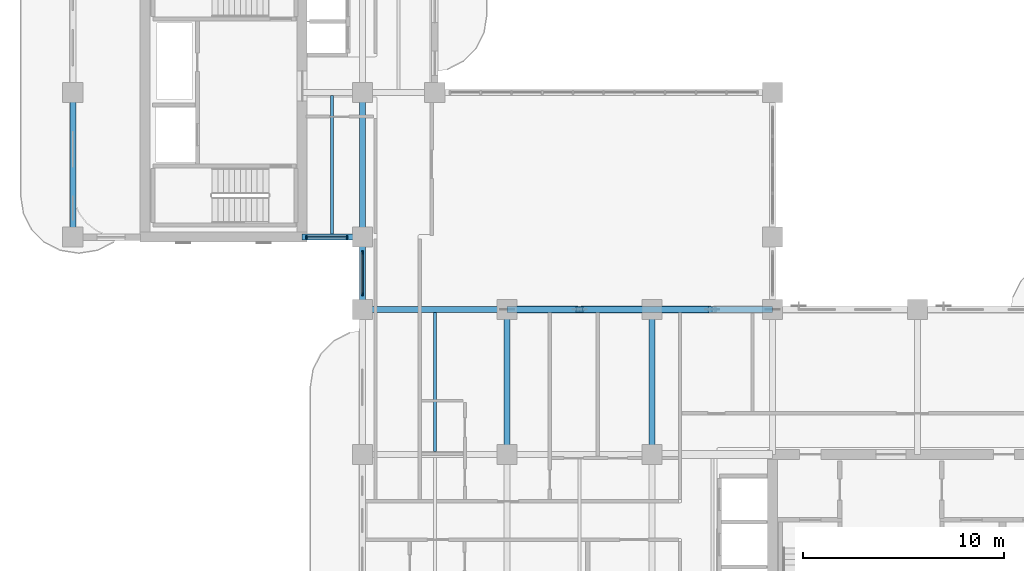
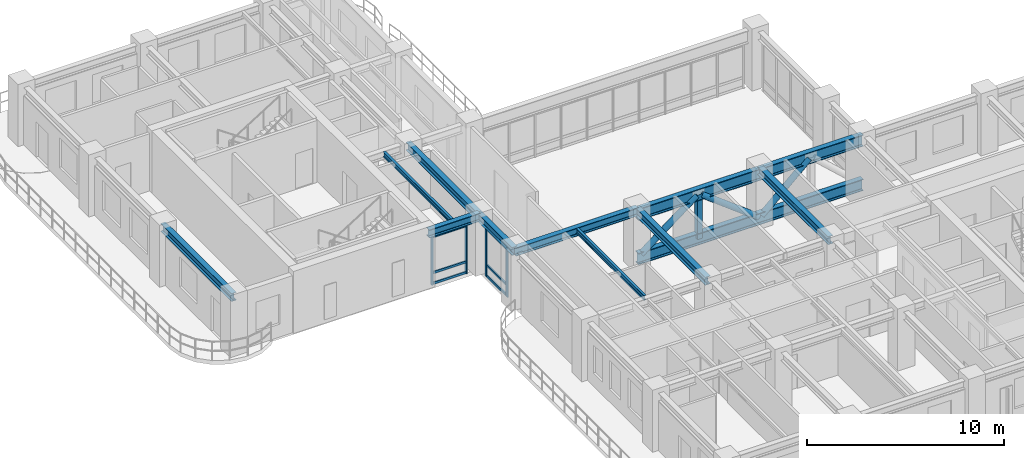
# One storey, part 2 of 17: 16 members, 9 beams, 2 elements without a shape of their own.
"""IFC4 building model written with IfcOpenShell, lengths in metres."""

from ifc_helpers import new_model, si_unit, derived_unit, direction, frame, origin, origin_2d, place, context, subcontext, project, spatial, rectangle, hollow_rectangle, hollow_circle, i_section, extrude, source, transform, mapped, material, layer, layer_set, material_profile, profile_set, type_object, type_shapes, element, aggregate, save


model = new_model("IFC4")

# Units and contexts
model_context = context("Model", 3, precision=1e-05, world=origin(), true_north=direction((0.0, 1.0)))
body_context = subcontext(model_context, "Body", "Model", "MODEL_VIEW")
ifc_project = project(units=[si_unit("LENGTHUNIT", "METRE"), si_unit("AREAUNIT", "SQUARE_METRE"), si_unit("VOLUMEUNIT", "CUBIC_METRE"), si_unit("PLANEANGLEUNIT", "RADIAN"), si_unit("MASSUNIT", "GRAM", prefix="KILO"), si_unit("THERMODYNAMICTEMPERATUREUNIT", "KELVIN"), si_unit("POWERUNIT", "WATT"), derived_unit("THERMALTRANSMITTANCEUNIT", [(si_unit("POWERUNIT", "WATT"), 1), (si_unit("AREAUNIT", "SQUARE_METRE"), -1), (si_unit("THERMODYNAMICTEMPERATUREUNIT", "KELVIN"), -1)])], contexts=[model_context])

# Site, building, storey
site_placement = place(None, origin())
site = spatial("IfcSite", under=ifc_project, at=site_placement, CompositionType="ELEMENT")
building_placement = place(site_placement, origin())
building = spatial("IfcBuilding", under=site, at=building_placement, Name="Zahravan Archway Hotel and Residences", CompositionType="ELEMENT")
storey_placement = place(building_placement, frame((0.0, 0.0, 192.64990234375)))
storey = spatial("IfcBuildingStorey", under=building, at=storey_placement, Name="L48", CompositionType="ELEMENT", Elevation=192.64990234375)

# Beams
ifc_material_1 = material(Name="Structural Steel S355JR", Category="steel")
ifc_material_profile_1 = material_profile(ifc_material_1, i_section(OverallWidth=0.300048828125, OverallDepth=0.5, WebThickness=0.014404296875, FlangeThickness=0.028076171875, FilletRadius=0.027099609375, at=origin_2d()), Name="HEB 500", Category="steel")
ifc_profile_set_1 = profile_set([ifc_material_profile_1], Name="Structural Steel S355JR")
beam_type_1 = type_object("IfcBeamType", Name="BM-PRI-HEB500", PredefinedType="BEAM", material=ifc_profile_set_1)
shared_shape_1 = source(origin(), body_context, "Body", "SweptSolid", [
    extrude(i_section(OverallWidth=0.300048828125, OverallDepth=0.5, WebThickness=0.014404296875, FlangeThickness=0.028076171875, FilletRadius=0.027099609375, at=origin_2d()), origin(), (0.0, 0.0, 1.0), 7.2001953125),
])
type_shapes(beam_type_1, [shared_shape_1])
for number, where, z_axis, x_axis, name in (
    (1, (14.39990234375, 21.60009765625, 3.300048828125), (1.0, 0.0, 0.0), (0.0, 1.0, 0.0), "L48 Primary Girder EW-11"),
    (2, (21.60009765625, 14.39990234375, 3.300048828125), (0.0, 1.0, 0.0), (-1.0, 0.0, 0.0), "L48 Primary Girder NS-36"),
    (3, (28.800048828125, 14.39990234375, 3.300048828125), (0.0, 1.0, 0.0), (-1.0, 0.0, 0.0), "L48 Primary Girder NS-39"),
):
    element("IfcBeam", number, at=place(storey_placement, frame(where, z_axis=z_axis, x_axis=x_axis)), inside=storey, type_object=beam_type_1, Name=name, PredefinedType="BEAM", context=body_context, shape_type="MappedRepresentation", body=[
        mapped(shared_shape_1, transform((0.0, 0.0, 0.0), scale=1.0)),
    ])
shared_shape_2 = source(origin(), body_context, "Body", "SweptSolid", [
    extrude(i_section(OverallWidth=0.300048828125, OverallDepth=0.5, WebThickness=0.014404296875, FlangeThickness=0.028076171875, FilletRadius=0.027099609375, at=origin_2d()), origin(), (0.0, 0.0, 1.0), 7.199951171875),
])
for number, where, z_axis, x_axis, name in (
    (4, (0.0, 25.199951171875, 3.300048828125), (0.0, 1.0, 0.0), (-1.0, 0.0, 0.0), "L48 Primary Girder NS-23"),
    (5, (14.39990234375, 25.199951171875, 3.300048828125), (0.0, 1.0, 0.0), (-1.0, 0.0, 0.0), "L48 Primary Girder NS-31"),
):
    element("IfcBeam", number, at=place(storey_placement, frame(where, z_axis=z_axis, x_axis=x_axis)), inside=storey, type_object=beam_type_1, Name=name, PredefinedType="BEAM", context=body_context, shape_type="MappedRepresentation", body=[
        mapped(shared_shape_2, transform((0.0, 0.0, 0.0), scale=1.0)),
    ])
shared_shape_3 = source(origin(), body_context, "Body", "SweptSolid", [
    extrude(i_section(OverallWidth=0.300048828125, OverallDepth=0.5, WebThickness=0.014404296875, FlangeThickness=0.028076171875, FilletRadius=0.027099609375, at=origin_2d()), origin(), (0.0, 0.0, 1.0), 3.0),
])
beam_1_placement = place(storey_placement, frame((11.39990234375, 25.199951171875, 3.300048828125), z_axis=(1.0, 0.0, 0.0), x_axis=(0.0, 1.0, 0.0)))
element("IfcBeam", 6, at=beam_1_placement, inside=storey, type_object=beam_type_1, Name="L48 Primary Girder EW-14", PredefinedType="BEAM", context=body_context, shape_type="MappedRepresentation", body=[
    mapped(shared_shape_3, transform((0.0, 0.0, 0.0), scale=1.0)),
])
shared_shape_4 = source(origin(), body_context, "Body", "SweptSolid", [
    extrude(i_section(OverallWidth=0.300048828125, OverallDepth=0.5, WebThickness=0.014404296875, FlangeThickness=0.028076171875, FilletRadius=0.027099609375, at=origin_2d()), origin(), (0.0, 0.0, 1.0), 3.599853515625),
])
beam_2_placement = place(storey_placement, frame((14.39990234375, 21.60009765625, 3.300048828125), z_axis=(0.0, 1.0, 0.0), x_axis=(-1.0, 0.0, 0.0)))
element("IfcBeam", 7, at=beam_2_placement, inside=storey, type_object=beam_type_1, Name="L48 Primary Girder NS-30", PredefinedType="BEAM", context=body_context, shape_type="MappedRepresentation", body=[
    mapped(shared_shape_4, transform((0.0, 0.0, 0.0), scale=1.0)),
])
ifc_material_profile_2 = material_profile(ifc_material_1, i_section(OverallWidth=0.14990234375, OverallDepth=0.300048828125, WebThickness=0.007080078125, FlangeThickness=0.0107421875, FilletRadius=0.014892578125, at=origin_2d()), Name="IPE 300", Category="steel")
ifc_profile_set_2 = profile_set([ifc_material_profile_2], Name="Structural Steel S355JR")
beam_type_2 = type_object("IfcBeamType", Name="BM-JST-IPE300", PredefinedType="JOIST", material=ifc_profile_set_2)
shared_shape_5 = source(origin(), body_context, "Body", "SweptSolid", [
    extrude(i_section(OverallWidth=0.14990234375, OverallDepth=0.300048828125, WebThickness=0.007080078125, FlangeThickness=0.0107421875, FilletRadius=0.014892578125, at=origin_2d()), origin(), (0.0, 0.0, 1.0), 6.904052734375),
])
type_shapes(beam_type_2, [shared_shape_5])
beam_3_placement = place(storey_placement, frame((12.89990234375, 25.347900390625, 3.400146484375), z_axis=(0.0, 1.0, 0.0), x_axis=(-1.0, 0.0, 0.0)))
element("IfcBeam", 8, at=beam_3_placement, inside=storey, type_object=beam_type_2, Name="L48 Composite Floor Joist 08", PredefinedType="JOIST", context=body_context, shape_type="MappedRepresentation", body=[
    mapped(shared_shape_5, transform((0.0, 0.0, 0.0), scale=1.0)),
])
shared_shape_6 = source(origin(), body_context, "Body", "SweptSolid", [
    extrude(i_section(OverallWidth=0.14990234375, OverallDepth=0.300048828125, WebThickness=0.007080078125, FlangeThickness=0.0107421875, FilletRadius=0.014892578125, at=origin_2d()), origin(), (0.0, 0.0, 1.0), 6.90380859375),
])
beam_4_placement = place(storey_placement, frame((18.0, 14.548095703125, 3.400146484375), z_axis=(0.0, 1.0, 0.0), x_axis=(-1.0, 0.0, 0.0)))
element("IfcBeam", 9, at=beam_4_placement, inside=storey, type_object=beam_type_2, Name="L48 Composite Floor Joist 07", PredefinedType="JOIST", context=body_context, shape_type="MappedRepresentation", body=[
    mapped(shared_shape_6, transform((0.0, 0.0, 0.0), scale=1.0)),
])

# Members
ifc_material_2 = material(Name="Structural Steel S460M", Category="steel")
ifc_material_profile_3 = material_profile(ifc_material_2, i_section(OverallWidth=0.303955078125, OverallDepth=0.716064453125, WebThickness=0.02099609375, FlangeThickness=0.0400390625, FilletRadius=0.027099609375, at=origin_2d()), Name="HEM 700", Category="steel")
ifc_profile_set_3 = profile_set([ifc_material_profile_3], Name="Structural Steel S460M")
member_type_1 = type_object("IfcMemberType", Name="MEM-CHD-HEM700", PredefinedType="CHORD", material=ifc_profile_set_3)
shared_shape_7 = source(origin(), body_context, "Body", "SweptSolid", [
    extrude(i_section(OverallWidth=0.303955078125, OverallDepth=0.716064453125, WebThickness=0.02099609375, FlangeThickness=0.0400390625, FilletRadius=0.027099609375, at=origin_2d()), origin(), (0.0, 0.0, 1.0), 13.199951171875),
])
type_shapes(member_type_1, [shared_shape_7])
for number, where, z_axis, x_axis, name in (
    (10, (21.60009765625, 21.60009765625, 3.10009765625), (1.0, 0.0, 0.0), (0.0, 1.0, 0.0), "L48 Sky-Bridge Truss Top Chord"),
    (11, (21.60009765625, 21.60009765625, 0.35009765625), (1.0, 0.0, 0.0), (0.0, 1.0, 0.0), "L48 Sky-Bridge Truss Bottom Chord"),
):
    element("IfcMember", number, at=place(storey_placement, frame(where, z_axis=z_axis, x_axis=x_axis)), inside=storey, type_object=member_type_1, Name=name, PredefinedType="CHORD", context=body_context, shape_type="MappedRepresentation", body=[
        mapped(shared_shape_7, transform((0.0, 0.0, 0.0), scale=1.0)),
    ])
ifc_material_3 = material(Name="Structural Steel S355J2", Category="steel")
ifc_material_profile_4 = material_profile(ifc_material_3, hollow_circle(Radius=0.177734375, WallThickness=0.01611328125, at=origin_2d()), Name="CHS 355.6x16", Category="steel")
ifc_profile_set_4 = profile_set([ifc_material_profile_4], Name="Structural Steel S355J2")
member_type_2 = type_object("IfcMemberType", Name="MEM-DIAG-CHS355", PredefinedType="BRACE", material=ifc_profile_set_4)
shared_shape_8 = source(origin(), body_context, "Body", "SweptSolid", [
    extrude(hollow_circle(Radius=0.177734375, WallThickness=0.01611328125, at=origin_2d()), origin(), (0.0, 0.0, 1.0), 4.110107421875),
])
member_1_placement = place(storey_placement, frame((21.822509765625, 21.60009765625, 0.52001953125), z_axis=(0.794651108126, 0.0, 0.607066401932), x_axis=(0.0, 1.0, 0.0)))
element("IfcMember", 12, at=member_1_placement, inside=storey, type_object=member_type_2, Name="L48 Sky-Bridge Truss Diagonal 1", PredefinedType="BRACE", context=body_context, shape_type="MappedRepresentation", body=[
    mapped(shared_shape_8, transform((0.0, 0.0, 0.0), scale=1.0)),
])
shared_shape_9 = source(origin(), body_context, "Body", "SweptSolid", [
    extrude(hollow_circle(Radius=0.177734375, WallThickness=0.01611328125, at=origin_2d()), origin(), (0.0, 0.0, 1.0), 4.250244140625),
])
member_2_placement = place(storey_placement, frame((25.311279296875, 21.60009765625, 3.01513671875), z_axis=(0.794661000837, 0.0, -0.607053452135), x_axis=(0.0, 1.0, 0.0)))
element("IfcMember", 13, at=member_2_placement, inside=storey, type_object=member_type_2, Name="L48 Sky-Bridge Truss Diagonal 2", PredefinedType="BRACE", context=body_context, shape_type="MappedRepresentation", body=[
    mapped(shared_shape_9, transform((0.0, 0.0, 0.0), scale=1.0)),
])
ifc_material_profile_5 = material_profile(ifc_material_3, hollow_rectangle(XDim=0.300048828125, YDim=0.300048828125, WallThickness=0.01611328125, at=origin_2d()), Name="SHS 300x300x16", Category="steel")
ifc_profile_set_5 = profile_set([ifc_material_profile_5], Name="Structural Steel S355J2")
member_type_3 = type_object("IfcMemberType", Name="MEM-POST-SHS300", PredefinedType="POST", material=ifc_profile_set_5)
shared_shape_10 = source(origin(), body_context, "Body", "SweptSolid", [
    extrude(hollow_rectangle(XDim=0.300048828125, YDim=0.300048828125, WallThickness=0.01611328125, at=origin_2d()), origin(), (0.0, 0.0, 1.0), 2.75),
])
member_3_placement = place(storey_placement, frame((25.199951171875, 21.60009765625, 0.35009765625), z_axis=(0.0, 0.0, 1.0), x_axis=(1.0, 0.0, 0.0)))
element("IfcMember", 14, at=member_3_placement, inside=storey, type_object=member_type_3, Name="L48 Sky-Bridge Truss Post 1", PredefinedType="POST", context=body_context, shape_type="MappedRepresentation", body=[
    mapped(shared_shape_10, transform((0.0, 0.0, 0.0), scale=1.0)),
])
shared_shape_11 = source(origin(), body_context, "Body", "SweptSolid", [
    extrude(hollow_circle(Radius=0.177734375, WallThickness=0.01611328125, at=origin_2d()), origin(), (0.0, 0.0, 1.0), 3.789794921875),
])
member_4_placement = place(storey_placement, frame((28.9033203125, 21.60009765625, 0.444580078125), z_axis=(0.737106004844, 0.0, 0.675777136061), x_axis=(0.0, 1.0, 0.0)))
element("IfcMember", 15, at=member_4_placement, inside=storey, type_object=member_type_2, Name="L48 Sky-Bridge Truss Diagonal 3", PredefinedType="BRACE", context=body_context, shape_type="MappedRepresentation", body=[
    mapped(shared_shape_11, transform((0.0, 0.0, 0.0), scale=1.0)),
])

# Curtain wall, members
ifc_material_4 = material(Name="Bronze-Anodized Unitised Aluminium & Low-E Glass", Category="aluminium")
ifc_layer = layer(ifc_material_4, 0.179931640625, Name="Bronze-Anodized Unitised Aluminium & Low-E Glass", Category="aluminium")
ifc_layer_set = layer_set([ifc_layer], Name="Bronze-Anodized Unitised Aluminium & Low-E Glass")
curtain_wall_type = type_object("IfcCurtainWallType", Name="CW-SBG-2", PredefinedType="NOTDEFINED", material=ifc_layer_set)
curtain_wall_1_placement = place(storey_placement, origin())
curtain_wall_1 = element("IfcCurtainWall", 16, at=curtain_wall_1_placement, inside=storey, type_object=curtain_wall_type, Name="L48 Curtain Wall CW-L48-WB-SE-1", PredefinedType="NOTDEFINED")
ifc_material_5 = material(Name="Bronze-Anodized Extruded Aluminium", Category="aluminium")
ifc_material_profile_6 = material_profile(ifc_material_5, rectangle(XDim=0.080078125, YDim=0.139892578125, at=origin_2d()), Name="TRN 80x140", Category="aluminium")
ifc_profile_set_6 = profile_set([ifc_material_profile_6], Name="Bronze-Anodized Extruded Aluminium")
member_type_4 = type_object("IfcMemberType", Name="CWM-TRN-140", PredefinedType="USERDEFINED", material=ifc_profile_set_6)
shared_shape_12 = source(origin(), body_context, "Body", "SweptSolid", [
    extrude(rectangle(XDim=0.080078125, YDim=0.139892578125, at=origin_2d()), origin(), (0.0, 0.0, 1.0), 1.940185546875),
])
member_5_placement = place(storey_placement, frame((11.659912109375, 25.199951171875, 0.070068359375), z_axis=(1.0, 0.0, 0.0), x_axis=(0.0, 1.0, 0.0)))
member_5 = element("IfcMember", 17, at=member_5_placement, type_object=member_type_4, Name="CW-L48-WB-SE-1 Transom 0-1", ObjectType="TRANSOM", PredefinedType="USERDEFINED", context=body_context, shape_type="MappedRepresentation", body=[
    mapped(shared_shape_12, transform((0.0, 0.0, 0.0), scale=1.0)),
])
member_6_placement = place(storey_placement, frame((11.659912109375, 25.199951171875, 0.728515625), z_axis=(1.0, 0.0, 0.0), x_axis=(0.0, 1.0, 0.0)))
member_6 = element("IfcMember", 18, at=member_6_placement, type_object=member_type_4, Name="CW-L48-WB-SE-1 Transom 0-2", ObjectType="TRANSOM", PredefinedType="USERDEFINED", context=body_context, shape_type="MappedRepresentation", body=[
    mapped(shared_shape_12, transform((0.0, 0.0, 0.0), scale=1.0)),
])
member_7_placement = place(storey_placement, frame((11.659912109375, 25.199951171875, 2.965087890625), z_axis=(1.0, 0.0, 0.0), x_axis=(0.0, 1.0, 0.0)))
member_7 = element("IfcMember", 19, at=member_7_placement, type_object=member_type_4, Name="CW-L48-WB-SE-1 Transom 0-3", ObjectType="TRANSOM", PredefinedType="USERDEFINED", context=body_context, shape_type="MappedRepresentation", body=[
    mapped(shared_shape_12, transform((0.0, 0.0, 0.0), scale=1.0)),
])

curtain_wall_2_placement = place(storey_placement, origin())
curtain_wall_2 = element("IfcCurtainWall", 20, at=curtain_wall_2_placement, inside=storey, type_object=curtain_wall_type, Name="L48 Curtain Wall CW-L48-WA-WLU-1", PredefinedType="NOTDEFINED")
shared_shape_13 = source(origin(), body_context, "Body", "SweptSolid", [
    extrude(rectangle(XDim=0.080078125, YDim=0.139892578125, at=origin_2d()), origin(), (0.0, 0.0, 1.0), 2.0),
])
member_8_placement = place(storey_placement, frame((14.39990234375, 22.39990234375, 0.070068359375), z_axis=(0.0, 1.0, 0.0), x_axis=(-1.0, 0.0, 0.0)))
member_8 = element("IfcMember", 21, at=member_8_placement, type_object=member_type_4, Name="CW-L48-WA-WLU-1 Transom 0-1", ObjectType="TRANSOM", PredefinedType="USERDEFINED", context=body_context, shape_type="MappedRepresentation", body=[
    mapped(shared_shape_13, transform((0.0, 0.0, 0.0), scale=1.0)),
])
member_9_placement = place(storey_placement, frame((14.39990234375, 22.39990234375, 0.728515625), z_axis=(0.0, 1.0, 0.0), x_axis=(-1.0, 0.0, 0.0)))
member_9 = element("IfcMember", 22, at=member_9_placement, type_object=member_type_4, Name="CW-L48-WA-WLU-1 Transom 0-2", ObjectType="TRANSOM", PredefinedType="USERDEFINED", context=body_context, shape_type="MappedRepresentation", body=[
    mapped(shared_shape_13, transform((0.0, 0.0, 0.0), scale=1.0)),
])
member_10_placement = place(storey_placement, frame((14.39990234375, 22.39990234375, 2.965087890625), z_axis=(0.0, 1.0, 0.0), x_axis=(-1.0, 0.0, 0.0)))
member_10 = element("IfcMember", 23, at=member_10_placement, type_object=member_type_4, Name="CW-L48-WA-WLU-1 Transom 0-3", ObjectType="TRANSOM", PredefinedType="USERDEFINED", context=body_context, shape_type="MappedRepresentation", body=[
    mapped(shared_shape_13, transform((0.0, 0.0, 0.0), scale=1.0)),
])
ifc_material_profile_7 = material_profile(ifc_material_5, rectangle(XDim=0.080078125, YDim=0.159912109375, at=origin_2d()), Name="MUL 80x160", Category="aluminium")
ifc_profile_set_7 = profile_set([ifc_material_profile_7], Name="Bronze-Anodized Extruded Aluminium")
member_type_5 = type_object("IfcMemberType", Name="CWM-MUL-160", PredefinedType="MULLION", material=ifc_profile_set_7)
shared_shape_14 = source(origin(), body_context, "Body", "SweptSolid", [
    extrude(rectangle(XDim=0.080078125, YDim=0.159912109375, at=origin_2d()), origin(), (0.0, 0.0, 1.0), 3.03515625),
])
member_11_placement = place(storey_placement, frame((14.39990234375, 22.360107421875, 0.0), z_axis=(0.0, 0.0, 1.0), x_axis=(1.0, 0.0, 0.0)))
member_11 = element("IfcMember", 24, at=member_11_placement, type_object=member_type_5, Name="CW-L48-WA-WLU-1 Mullion 0", PredefinedType="MULLION", context=body_context, shape_type="MappedRepresentation", body=[
    mapped(shared_shape_14, transform((0.0, 0.0, 0.0), scale=1.0)),
])
member_12_placement = place(storey_placement, frame((14.39990234375, 24.43994140625, 0.0), z_axis=(0.0, 0.0, 1.0), x_axis=(1.0, 0.0, 0.0)))
member_12 = element("IfcMember", 25, at=member_12_placement, type_object=member_type_5, Name="CW-L48-WA-WLU-1 Mullion 1", PredefinedType="MULLION", context=body_context, shape_type="MappedRepresentation", body=[
    mapped(shared_shape_14, transform((0.0, 0.0, 0.0), scale=1.0)),
])
aggregate(curtain_wall_2, [member_11, member_12, member_8, member_9, member_10])

# Member
member_13_placement = place(storey_placement, frame((11.6201171875, 25.199951171875, 0.0), z_axis=(0.0, 0.0, 1.0), x_axis=(1.0, 0.0, 0.0)))
member_13 = element("IfcMember", 26, at=member_13_placement, type_object=member_type_5, Name="CW-L48-WB-SE-1 Mullion 0", PredefinedType="MULLION", context=body_context, shape_type="MappedRepresentation", body=[
    mapped(shared_shape_14, transform((0.0, 0.0, 0.0), scale=1.0)),
])

member_14_placement = place(storey_placement, frame((13.639892578125, 25.199951171875, 0.0), z_axis=(0.0, 0.0, 1.0), x_axis=(1.0, 0.0, 0.0)))
member_14 = element("IfcMember", 27, at=member_14_placement, type_object=member_type_5, Name="CW-L48-WB-SE-1 Mullion 1", PredefinedType="MULLION", context=body_context, shape_type="MappedRepresentation", body=[
    mapped(shared_shape_14, transform((0.0, 0.0, 0.0), scale=1.0)),
])

aggregate(curtain_wall_1, [member_13, member_14, member_5, member_6, member_7])

save(model, "model.ifc")
